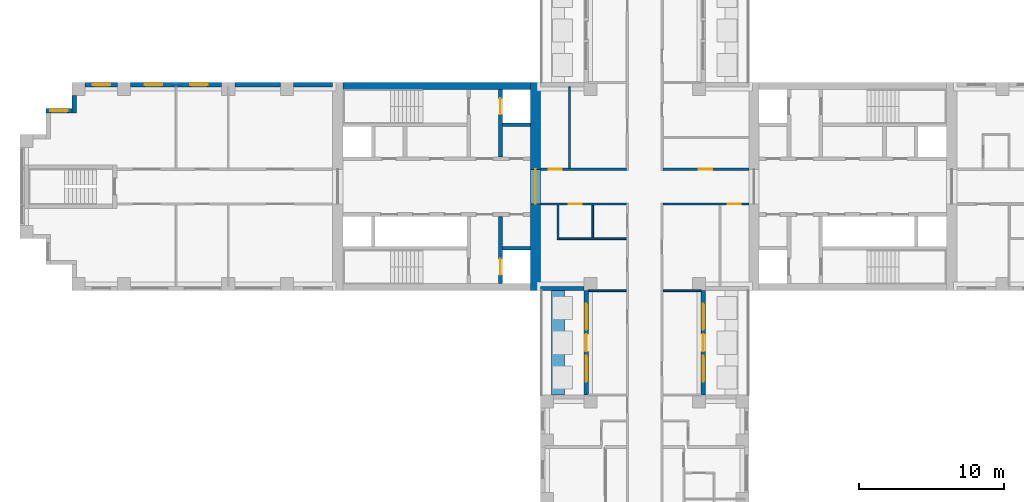
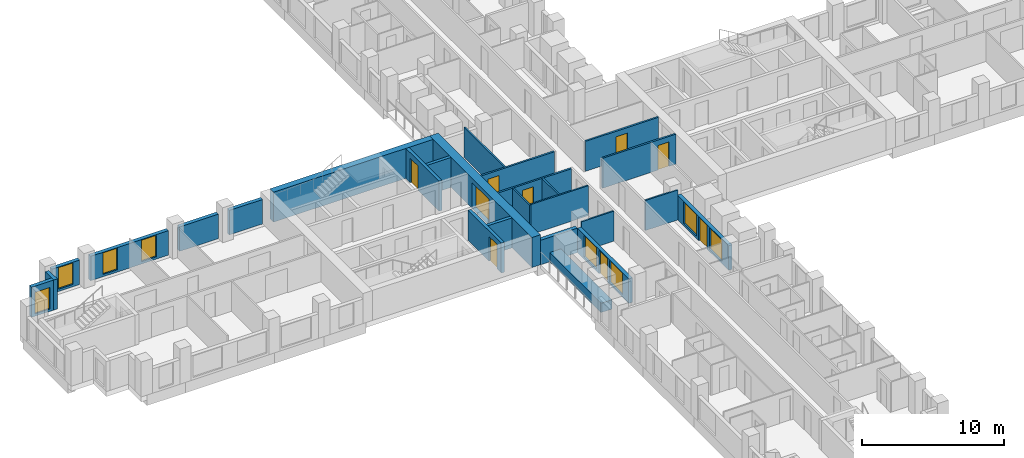
# One storey, part 7 of 15: 26 walls, 9 doors, 8 windows, 17 openings.
"""IFC4 building model written with IfcOpenShell, lengths in metres."""

from ifc_helpers import new_model, si_unit, direction, frame, frame_2d, origin, place, context, subcontext, project, spatial, rectangle, extrude, material, layer, layer_set, type_object, element, fill, save


model = new_model("IFC4")

# Units and contexts
model_context = context("Model", 3, precision=1e-05, world=origin(), true_north=direction((0.0, 1.0)))
body_context = subcontext(model_context, "Body", "Model", "MODEL_VIEW")
ifc_project = project(units=[si_unit("LENGTHUNIT", "METRE"), si_unit("AREAUNIT", "SQUARE_METRE"), si_unit("VOLUMEUNIT", "CUBIC_METRE"), si_unit("PLANEANGLEUNIT", "RADIAN"), si_unit("MASSUNIT", "GRAM", prefix="KILO")], contexts=[model_context])

# Site, building, storey
site_placement = place(None, origin())
site = spatial("IfcSite", under=ifc_project, at=site_placement, CompositionType="ELEMENT")
building_placement = place(site_placement, origin())
building = spatial("IfcBuilding", under=site, at=building_placement, Name="Fustian Cross Tower", CompositionType="ELEMENT")
storey_placement = place(building_placement, frame((0.0, 0.0, 29.699951171875)))
storey = spatial("IfcBuildingStorey", under=building, at=storey_placement, Name="L08", CompositionType="ELEMENT", Elevation=29.699951171875)

# Wall, opening, door
ifc_material_1 = material(Name="Plasterboard on steel stud", Category="steel")
ifc_layer_1 = layer(ifc_material_1, 0.14990234375)
ifc_layer_set_1 = layer_set([ifc_layer_1], Name="Plasterboard on steel stud")
wall_type_1 = type_object("IfcWallType", Name="COMPARTMENT WALL 150 EI 60", PredefinedType="PARTITIONING", material=ifc_layer_set_1)
wall_1_placement = place(storey_placement, frame((-7.199951171875, -1.199951171875, 0.0), z_axis=(0.0, 0.0, 1.0), x_axis=(1.0, 0.0, 0.0)))
wall_1 = element("IfcWall", 1, at=wall_1_placement, inside=storey, type_object=wall_type_1, Name="Partition 7", PredefinedType="PARTITIONING", context=body_context, shape_type="SweptSolid", body=[
    extrude(rectangle(XDim=5.925048828125, YDim=0.14990234375, at=frame_2d((2.96240234375, 0.0))), origin(), (0.0, 0.0, 1.0), 2.574951171875),
])
opening_1_placement = place(wall_1_placement, frame((1.949951171875, 0.0, 0.0)))
opening_1 = element("IfcOpeningElement", 2, at=opening_1_placement, cuts=wall_1, Name="Opening D06008", PredefinedType="OPENING", context=body_context, shape_type="SweptSolid", body=[
    extrude(rectangle(XDim=0.89990234375, YDim=2.10009765625, at=frame_2d((0.449951171875, 1.050048828125))), frame((0.0, 0.0849609375, 0.0), z_axis=(0.0, -1.0, 0.0), x_axis=(1.0, 0.0, 0.0)), (0.0, 0.0, 1.0), 0.169921875),
])
ifc_material_2 = material(Name="Timber fire door set", Category="wood")
door_type_1 = type_object("IfcDoorType", Name="FIRE SWING DOOR 900 FD30S", OperationType="SINGLE_SWING_LEFT", PredefinedType="DOOR", material=ifc_material_2)
door_1_placement = place(opening_1_placement, frame((0.89990234375, 0.0, 0.0), z_axis=(0.0, 0.0, 1.0), x_axis=(-1.0, 0.0, 0.0)))
door_1 = element("IfcDoor", 3, at=door_1_placement, inside=storey, type_object=door_type_1, Name="Door D06008", OperationType="SINGLE_SWING_RIGHT", OverallHeight=2.10009765625, OverallWidth=0.89990234375, PredefinedType="DOOR", context=body_context, shape_type="SweptSolid", body=[
    extrude(rectangle(XDim=0.89990234375, YDim=2.10009765625, at=frame_2d((0.449951171875, 1.050048828125))), frame((0.0, 0.02490234375, 0.0), z_axis=(0.0, -1.0, 0.0), x_axis=(1.0, 0.0, 0.0)), (0.0, 0.0, 1.0), 0.050048828125),
])
fill(opening_1, door_1)

wall_2_placement = place(storey_placement, frame((-7.199951171875, 1.199951171875, 0.0), z_axis=(0.0, 0.0, 1.0), x_axis=(1.0, 0.0, 0.0)))
wall_2 = element("IfcWall", 4, at=wall_2_placement, inside=storey, type_object=wall_type_1, Name="Partition 8", PredefinedType="PARTITIONING", context=body_context, shape_type="SweptSolid", body=[
    extrude(rectangle(XDim=5.925048828125, YDim=0.14990234375, at=frame_2d((2.96240234375, 0.0))), origin(), (0.0, 0.0, 1.0), 2.574951171875),
])
opening_2_placement = place(wall_2_placement, frame((0.550048828125, 0.0, 0.0)))
opening_2 = element("IfcOpeningElement", 5, at=opening_2_placement, cuts=wall_2, Name="Opening D06004", PredefinedType="OPENING", context=body_context, shape_type="SweptSolid", body=[
    extrude(rectangle(XDim=0.89990234375, YDim=2.10009765625, at=frame_2d((0.449951171875, 1.050048828125))), frame((0.0, 0.0849609375, 0.0), z_axis=(0.0, -1.0, 0.0), x_axis=(1.0, 0.0, 0.0)), (0.0, 0.0, 1.0), 0.169921875),
])
door_2_placement = place(opening_2_placement, origin())
door_2 = element("IfcDoor", 6, at=door_2_placement, inside=storey, type_object=door_type_1, Name="Door D06004", OperationType="SINGLE_SWING_LEFT", OverallHeight=2.10009765625, OverallWidth=0.89990234375, PredefinedType="DOOR", context=body_context, shape_type="SweptSolid", body=[
    extrude(rectangle(XDim=0.89990234375, YDim=2.10009765625, at=frame_2d((0.449951171875, 1.050048828125))), frame((0.0, 0.02490234375, 0.0), z_axis=(0.0, -1.0, 0.0), x_axis=(1.0, 0.0, 0.0)), (0.0, 0.0, 1.0), 0.050048828125),
])
fill(opening_2, door_2)

wall_3_placement = place(storey_placement, frame((1.27490234375, -1.199951171875, 0.0), z_axis=(0.0, 0.0, 1.0), x_axis=(1.0, 0.0, 0.0)))
wall_3 = element("IfcWall", 7, at=wall_3_placement, inside=storey, type_object=wall_type_1, Name="Partition 53", PredefinedType="PARTITIONING", context=body_context, shape_type="SweptSolid", body=[
    extrude(rectangle(XDim=5.925048828125, YDim=0.14990234375, at=frame_2d((2.96240234375, 0.0))), origin(), (0.0, 0.0, 1.0), 2.574951171875),
])
opening_3_placement = place(wall_3_placement, frame((4.47509765625, 0.0, 0.0)))
opening_3 = element("IfcOpeningElement", 8, at=opening_3_placement, cuts=wall_3, Name="Opening D06006", PredefinedType="OPENING", context=body_context, shape_type="SweptSolid", body=[
    extrude(rectangle(XDim=0.89990234375, YDim=2.10009765625, at=frame_2d((0.449951171875, 1.050048828125))), frame((0.0, 0.0849609375, 0.0), z_axis=(0.0, -1.0, 0.0), x_axis=(1.0, 0.0, 0.0)), (0.0, 0.0, 1.0), 0.169921875),
])
door_3_placement = place(opening_3_placement, frame((0.89990234375, 0.0, 0.0), z_axis=(0.0, 0.0, 1.0), x_axis=(-1.0, 0.0, 0.0)))
door_3 = element("IfcDoor", 9, at=door_3_placement, inside=storey, type_object=door_type_1, Name="Door D06006", OperationType="SINGLE_SWING_RIGHT", OverallHeight=2.10009765625, OverallWidth=0.89990234375, PredefinedType="DOOR", context=body_context, shape_type="SweptSolid", body=[
    extrude(rectangle(XDim=0.89990234375, YDim=2.10009765625, at=frame_2d((0.449951171875, 1.050048828125))), frame((0.0, 0.02490234375, 0.0), z_axis=(0.0, -1.0, 0.0), x_axis=(1.0, 0.0, 0.0)), (0.0, 0.0, 1.0), 0.050048828125),
])
fill(opening_3, door_3)

wall_4_placement = place(storey_placement, frame((1.27490234375, 1.199951171875, 0.0), z_axis=(0.0, 0.0, 1.0), x_axis=(1.0, 0.0, 0.0)))
wall_4 = element("IfcWall", 10, at=wall_4_placement, inside=storey, type_object=wall_type_1, Name="Partition 55", PredefinedType="PARTITIONING", context=body_context, shape_type="SweptSolid", body=[
    extrude(rectangle(XDim=5.925048828125, YDim=0.14990234375, at=frame_2d((2.96240234375, 0.0))), origin(), (0.0, 0.0, 1.0), 2.574951171875),
])
opening_4_placement = place(wall_4_placement, frame((2.47509765625, 0.0, 0.0)))
opening_4 = element("IfcOpeningElement", 11, at=opening_4_placement, cuts=wall_4, Name="Opening D06001", PredefinedType="OPENING", context=body_context, shape_type="SweptSolid", body=[
    extrude(rectangle(XDim=0.89990234375, YDim=2.10009765625, at=frame_2d((0.449951171875, 1.050048828125))), frame((0.0, 0.0849609375, 0.0), z_axis=(0.0, -1.0, 0.0), x_axis=(1.0, 0.0, 0.0)), (0.0, 0.0, 1.0), 0.169921875),
])
door_4_placement = place(opening_4_placement, origin())
door_4 = element("IfcDoor", 12, at=door_4_placement, inside=storey, type_object=door_type_1, Name="Door D06001", OperationType="SINGLE_SWING_LEFT", OverallHeight=2.10009765625, OverallWidth=0.89990234375, PredefinedType="DOOR", context=body_context, shape_type="SweptSolid", body=[
    extrude(rectangle(XDim=0.89990234375, YDim=2.10009765625, at=frame_2d((0.449951171875, 1.050048828125))), frame((0.0, 0.02490234375, 0.0), z_axis=(0.0, -1.0, 0.0), x_axis=(1.0, 0.0, 0.0)), (0.0, 0.0, 1.0), 0.050048828125),
])
fill(opening_4, door_4)

ifc_material_3 = material(Name="Concrete C80/95", Category="concrete")
ifc_layer_2 = layer(ifc_material_3, 0.699951171875)
ifc_layer_set_2 = layer_set([ifc_layer_2], Name="Concrete C80/95")
wall_type_2 = type_object("IfcWallType", Name="CORE END WALL 700 C80/95", PredefinedType="SHEAR", material=ifc_layer_set_2)
wall_5_placement = place(storey_placement, frame((-7.550048828125, -7.199951171875, 0.0), z_axis=(0.0, 0.0, 1.0), x_axis=(0.0, 1.0, 0.0)))
wall_5 = element("IfcWall", 13, at=wall_5_placement, inside=storey, type_object=wall_type_2, Name="Core end wall", PredefinedType="SHEAR", context=body_context, shape_type="SweptSolid", body=[
    extrude(rectangle(XDim=14.39990234375, YDim=0.699951171875, at=frame_2d((7.199951171875, 0.0))), origin(), (0.0, 0.0, 1.0), 2.574951171875),
])
opening_5_placement = place(wall_5_placement, frame((6.0, 0.0, 0.0)))
opening_5 = element("IfcOpeningElement", 14, at=opening_5_placement, cuts=wall_5, Name="Opening CD-06-27", PredefinedType="OPENING", context=body_context, shape_type="SweptSolid", body=[
    extrude(rectangle(XDim=2.39990234375, YDim=2.199951171875, at=frame_2d((1.199951171875, 1.10009765625))), frame((0.0, 0.35986328125, 0.0), z_axis=(0.0, -1.0, 0.0), x_axis=(1.0, 0.0, 0.0)), (0.0, 0.0, 1.0), 0.719970703125),
])
ifc_material_4 = material(Name="Steel", Category="steel")
door_type_2 = type_object("IfcDoorType", Name="FIRE DOOR FD30S DOUBLE 2400X2200", OperationType="DOUBLE_DOOR_DOUBLE_SWING", PredefinedType="DOOR", material=ifc_material_4)
door_5_placement = place(opening_5_placement, origin())
door_5 = element("IfcDoor", 15, at=door_5_placement, inside=storey, type_object=door_type_2, Name="Core door CD-06-27", OperationType="DOUBLE_DOOR_DOUBLE_SWING", OverallHeight=2.199951171875, OverallWidth=2.39990234375, PredefinedType="DOOR", context=body_context, shape_type="SweptSolid", body=[
    extrude(rectangle(XDim=2.39990234375, YDim=2.199951171875, at=frame_2d((1.199951171875, 1.10009765625))), frame((0.0, 0.02490234375, 0.0), z_axis=(0.0, -1.0, 0.0), x_axis=(1.0, 0.0, 0.0)), (0.0, 0.0, 1.0), 0.050048828125),
])
fill(opening_5, door_5)

# Walls
ifc_material_5 = material(Name="Concrete C80/95", Category="concrete")
ifc_layer_3 = layer(ifc_material_5, 0.5)
ifc_layer_set_3 = layer_set([ifc_layer_3], Name="Concrete C80/95")
wall_type_3 = type_object("IfcWallType", Name="CORE FACADE WALL 500 C80/95", PredefinedType="SHEAR", material=ifc_layer_set_3)
wall_6_placement = place(storey_placement, frame((-7.89990234375, 6.949951171875, 0.0), z_axis=(0.0, 0.0, 1.0), x_axis=(-1.0, 0.0, 0.0)))
element("IfcWall", 16, at=wall_6_placement, inside=storey, type_object=wall_type_3, Name="Core facade wall", PredefinedType="SHEAR", context=body_context, shape_type="SweptSolid", body=[
    extrude(rectangle(XDim=12.9501953125, YDim=0.5, at=frame_2d((6.47509765625, 0.0))), origin(), (0.0, 0.0, 1.0), 2.574951171875),
])
ifc_material_6 = material(Name="Concrete C50/60", Category="concrete")
ifc_layer_4 = layer(ifc_material_6, 0.25)
ifc_layer_set_4 = layer_set([ifc_layer_4], Name="Concrete C50/60")
wall_type_4 = type_object("IfcWallType", Name="CORE SHAFT WALL 250 C50/60", PredefinedType="SHEAR", material=ifc_layer_set_4)
wall_7_placement = place(storey_placement, frame((-7.89990234375, 4.27490234375, 0.0), z_axis=(0.0, 0.0, 1.0), x_axis=(-1.0, 0.0, 0.0)))
element("IfcWall", 17, at=wall_7_placement, inside=storey, type_object=wall_type_4, Name="Core shaft wall", PredefinedType="SHEAR", context=body_context, shape_type="SweptSolid", body=[
    extrude(rectangle(XDim=1.9501953125, YDim=0.25, at=frame_2d((0.97509765625, 0.0))), origin(), (0.0, 0.0, 1.0), 2.574951171875),
])

# Wall, opening, door
wall_8_placement = place(storey_placement, frame((-9.97509765625, 2.050048828125, 0.0), z_axis=(0.0, 0.0, 1.0), x_axis=(0.0, 1.0, 0.0)))
wall_8 = element("IfcWall", 18, at=wall_8_placement, inside=storey, type_object=wall_type_4, Name="Core shaft wall", PredefinedType="SHEAR", context=body_context, shape_type="SweptSolid", body=[
    extrude(rectangle(XDim=4.64990234375, YDim=0.25, at=frame_2d((2.324951171875, 0.0))), origin(), (0.0, 0.0, 1.0), 2.574951171875),
])
opening_6_placement = place(wall_8_placement, frame((2.949951171875, 0.0, 0.0)))
opening_6 = element("IfcOpeningElement", 19, at=opening_6_placement, cuts=wall_8, Name="Opening LD", PredefinedType="OPENING", context=body_context, shape_type="SweptSolid", body=[
    extrude(rectangle(XDim=1.10009765625, YDim=2.10009765625, at=frame_2d((0.550048828125, 1.050048828125))), frame((0.0, 0.135009765625, 0.0), z_axis=(0.0, -1.0, 0.0), x_axis=(1.0, 0.0, 0.0)), (0.0, 0.0, 1.0), 0.27001953125),
])
ifc_material_7 = material(Name="Stainless steel", Category="steel")
door_type_3 = type_object("IfcDoorType", Name="LIFT LANDING DOOR 1100X2100", OperationType="SLIDING_TO_LEFT", PredefinedType="DOOR", material=ifc_material_7)
door_6_placement = place(opening_6_placement, origin())
door_6 = element("IfcDoor", 20, at=door_6_placement, inside=storey, type_object=door_type_3, Name="Landing door FL1W", OperationType="SLIDING_TO_LEFT", OverallHeight=2.10009765625, OverallWidth=1.10009765625, PredefinedType="DOOR", context=body_context, shape_type="SweptSolid", body=[
    extrude(rectangle(XDim=1.10009765625, YDim=2.10009765625, at=frame_2d((0.550048828125, 1.050048828125))), frame((0.0, 0.02490234375, 0.0), z_axis=(0.0, -1.0, 0.0), x_axis=(1.0, 0.0, 0.0)), (0.0, 0.0, 1.0), 0.050048828125),
])
fill(opening_6, door_6)

# Wall
wall_9_placement = place(storey_placement, frame((-7.89990234375, -4.27490234375, 0.0), z_axis=(0.0, 0.0, 1.0), x_axis=(-1.0, 0.0, 0.0)))
element("IfcWall", 21, at=wall_9_placement, inside=storey, type_object=wall_type_4, Name="Core shaft wall", PredefinedType="SHEAR", context=body_context, shape_type="SweptSolid", body=[
    extrude(rectangle(XDim=1.9501953125, YDim=0.25, at=frame_2d((0.97509765625, 0.0))), origin(), (0.0, 0.0, 1.0), 2.574951171875),
])

# Wall, opening, door
wall_10_placement = place(storey_placement, frame((-9.97509765625, -2.050048828125, 0.0), z_axis=(0.0, 0.0, 1.0), x_axis=(0.0, -1.0, 0.0)))
wall_10 = element("IfcWall", 22, at=wall_10_placement, inside=storey, type_object=wall_type_4, Name="Core shaft wall", PredefinedType="SHEAR", context=body_context, shape_type="SweptSolid", body=[
    extrude(rectangle(XDim=4.64990234375, YDim=0.25, at=frame_2d((2.324951171875, 0.0))), origin(), (0.0, 0.0, 1.0), 2.574951171875),
])
opening_7_placement = place(wall_10_placement, frame((2.949951171875, 0.0, 0.0)))
opening_7 = element("IfcOpeningElement", 23, at=opening_7_placement, cuts=wall_10, Name="Opening LD", PredefinedType="OPENING", context=body_context, shape_type="SweptSolid", body=[
    extrude(rectangle(XDim=1.10009765625, YDim=2.10009765625, at=frame_2d((0.550048828125, 1.050048828125))), frame((0.0, 0.135009765625, 0.0), z_axis=(0.0, -1.0, 0.0), x_axis=(1.0, 0.0, 0.0)), (0.0, 0.0, 1.0), 0.27001953125),
])
door_7_placement = place(opening_7_placement, origin())
door_7 = element("IfcDoor", 24, at=door_7_placement, inside=storey, type_object=door_type_3, Name="Landing door SV1W", OperationType="SLIDING_TO_LEFT", OverallHeight=2.10009765625, OverallWidth=1.10009765625, PredefinedType="DOOR", context=body_context, shape_type="SweptSolid", body=[
    extrude(rectangle(XDim=1.10009765625, YDim=2.10009765625, at=frame_2d((0.550048828125, 1.050048828125))), frame((0.0, 0.02490234375, 0.0), z_axis=(0.0, -1.0, 0.0), x_axis=(1.0, 0.0, 0.0)), (0.0, 0.0, 1.0), 0.050048828125),
])
fill(opening_7, door_7)

# Walls
ifc_material_8 = material(Name="Concrete C40/50", Category="concrete")
ifc_layer_5 = layer(ifc_material_8, 0.89990234375)
ifc_layer_set_5 = layer_set([ifc_layer_5], Name="Concrete C40/50")
wall_type_5 = type_object("IfcWallType", Name="PK1 PLANTER 900", PredefinedType="PARAPET", material=ifc_layer_set_5)
wall_11_placement = place(storey_placement, frame((-6.0, -14.39990234375, 0.0), z_axis=(0.0, 0.0, 1.0), x_axis=(0.0, 1.0, 0.0)))
element("IfcWall", 25, at=wall_11_placement, inside=storey, type_object=wall_type_5, Name="PLANTER", PredefinedType="PARAPET", context=body_context, shape_type="SweptSolid", body=[
    extrude(rectangle(XDim=7.199951171875, YDim=0.89990234375, at=frame_2d((3.60009765625, 0.0))), origin(), (0.0, 0.0, 1.0), 0.800048828125),
])
ifc_material_9 = material(Name="Plasterboard on steel stud", Category="steel")
ifc_layer_6 = layer(ifc_material_9, 0.125)
ifc_layer_set_6 = layer_set([ifc_layer_6], Name="Plasterboard on steel stud")
wall_type_6 = type_object("IfcWallType", Name="WET WALL 125 STUD", PredefinedType="PARTITIONING", material=ifc_layer_set_6)
wall_12_placement = place(storey_placement, frame((-6.0, -3.66259765625, 0.0), z_axis=(0.0, 0.0, 1.0), x_axis=(0.0, 1.0, 0.0)))
element("IfcWall", 26, at=wall_12_placement, inside=storey, type_object=wall_type_6, Name="Partition 21", PredefinedType="PARTITIONING", context=body_context, shape_type="SweptSolid", body=[
    extrude(rectangle(XDim=2.3876953125, YDim=0.125, at=frame_2d((1.19384765625, 0.0))), origin(), (0.0, 0.0, 1.0), 2.574951171875),
])
wall_13_placement = place(storey_placement, frame((-5.9375, -3.60009765625, 0.0), z_axis=(0.0, 0.0, 1.0), x_axis=(1.0, 0.0, 0.0)))
element("IfcWall", 27, at=wall_13_placement, inside=storey, type_object=wall_type_6, Name="Partition 22", PredefinedType="PARTITIONING", context=body_context, shape_type="SweptSolid", body=[
    extrude(rectangle(XDim=4.66259765625, YDim=0.125, at=frame_2d((2.331298828125, 0.0))), origin(), (0.0, 0.0, 1.0), 2.574951171875),
])
wall_14_placement = place(storey_placement, frame((-5.199951171875, 1.27490234375, 0.0), z_axis=(0.0, 0.0, 1.0), x_axis=(0.0, 1.0, 0.0)))
element("IfcWall", 28, at=wall_14_placement, inside=storey, type_object=wall_type_6, Name="Partition 23", PredefinedType="PARTITIONING", context=body_context, shape_type="SweptSolid", body=[
    extrude(rectangle(XDim=5.625, YDim=0.125, at=frame_2d((2.8125, 0.0))), origin(), (0.0, 0.0, 1.0), 2.574951171875),
])
wall_15_placement = place(storey_placement, frame((-3.89990234375, -7.199951171875, 0.0), z_axis=(0.0, 0.0, 1.0), x_axis=(1.0, 0.0, 0.0)))
element("IfcWall", 29, at=wall_15_placement, inside=storey, type_object=wall_type_6, Name="Partition 36", PredefinedType="PARTITIONING", context=body_context, shape_type="SweptSolid", body=[
    extrude(rectangle(XDim=2.625, YDim=0.125, at=frame_2d((1.3125, 0.0))), origin(), (0.0, 0.0, 1.0), 2.574951171875),
])
wall_16_placement = place(storey_placement, frame((-3.60009765625, -3.53759765625, 0.0), z_axis=(0.0, 0.0, 1.0), x_axis=(0.0, 1.0, 0.0)))
element("IfcWall", 30, at=wall_16_placement, inside=storey, type_object=wall_type_6, Name="Partition 39", PredefinedType="PARTITIONING", context=body_context, shape_type="SweptSolid", body=[
    extrude(rectangle(XDim=2.2626953125, YDim=0.125, at=frame_2d((1.13134765625, 0.0))), origin(), (0.0, 0.0, 1.0), 2.574951171875),
])
wall_17_placement = place(storey_placement, frame((1.27490234375, -7.199951171875, 0.0), z_axis=(0.0, 0.0, 1.0), x_axis=(1.0, 0.0, 0.0)))
element("IfcWall", 31, at=wall_17_placement, inside=storey, type_object=wall_type_6, Name="Partition 52", PredefinedType="PARTITIONING", context=body_context, shape_type="SweptSolid", body=[
    extrude(rectangle(XDim=2.625, YDim=0.125, at=frame_2d((1.3125, 0.0))), origin(), (0.0, 0.0, 1.0), 2.574951171875),
])
ifc_material_10 = material(Name="Dark aluminium cladding on insulated backing wall", Category="aluminium")
ifc_layer_7 = layer(ifc_material_10, 0.300048828125)
ifc_layer_set_7 = layer_set([ifc_layer_7], Name="Dark aluminium cladding on insulated backing wall")
wall_type_7 = type_object("IfcWallType", Name="XW1 EXTERNAL WALL 300", PredefinedType="SOLIDWALL", material=ifc_layer_set_7)
wall_18_placement = place(storey_placement, frame((-21.60009765625, 7.050048828125, 0.0), z_axis=(0.0, 0.0, 1.0), x_axis=(-1.0, 0.0, 0.0)))
element("IfcWall", 32, at=wall_18_placement, inside=storey, type_object=wall_type_7, Name="External wall", PredefinedType="SOLIDWALL", context=body_context, shape_type="SweptSolid", body=[
    extrude(rectangle(XDim=2.699951171875, YDim=0.300048828125, at=frame_2d((1.35009765625, 0.0))), origin(), (0.0, 0.0, 1.0), 2.10009765625),
])
wall_19_placement = place(storey_placement, frame((-25.199951171875, 7.050048828125, 0.0), z_axis=(0.0, 0.0, 1.0), x_axis=(-1.0, 0.0, 0.0)))
element("IfcWall", 33, at=wall_19_placement, inside=storey, type_object=wall_type_7, Name="External wall", PredefinedType="SOLIDWALL", context=body_context, shape_type="SweptSolid", body=[
    extrude(rectangle(XDim=3.150146484375, YDim=0.300048828125, at=frame_2d((1.5751953125, 0.0))), origin(), (0.0, 0.0, 1.0), 2.10009765625),
])

# Wall, openings, windows
wall_20_placement = place(storey_placement, frame((-29.25, 7.050048828125, 0.0), z_axis=(0.0, 0.0, 1.0), x_axis=(-1.0, 0.0, 0.0)))
wall_20 = element("IfcWall", 34, at=wall_20_placement, inside=storey, type_object=wall_type_7, Name="External wall", PredefinedType="SOLIDWALL", context=body_context, shape_type="SweptSolid", body=[
    extrude(rectangle(XDim=6.300048828125, YDim=0.300048828125, at=frame_2d((3.14990234375, 0.0))), origin(), (0.0, 0.0, 1.0), 2.10009765625),
])
opening_8_placement = place(wall_20_placement, frame((0.97509765625, 0.0, 0.199951171875)))
opening_8 = element("IfcOpeningElement", 35, at=opening_8_placement, cuts=wall_20, Name="Opening WN3", PredefinedType="OPENING", context=body_context, shape_type="SweptSolid", body=[
    extrude(rectangle(XDim=1.199951171875, YDim=1.85009765625, at=frame_2d((0.60009765625, 0.925048828125))), frame((0.0, 0.159912109375, 0.0), z_axis=(0.0, -1.0, 0.0), x_axis=(1.0, 0.0, 0.0)), (0.0, 0.0, 1.0), 0.320068359375),
])
opening_9_placement = place(wall_20_placement, frame((4.125, 0.0, 0.199951171875)))
opening_9 = element("IfcOpeningElement", 36, at=opening_9_placement, cuts=wall_20, Name="Opening WN3", PredefinedType="OPENING", context=body_context, shape_type="SweptSolid", body=[
    extrude(rectangle(XDim=1.199951171875, YDim=1.85009765625, at=frame_2d((0.60009765625, 0.925048828125))), frame((0.0, 0.159912109375, 0.0), z_axis=(0.0, -1.0, 0.0), x_axis=(1.0, 0.0, 0.0)), (0.0, 0.0, 1.0), 0.320068359375),
])
ifc_material_11 = material(Name="Dark anodised aluminium and double glazing", Category="aluminium")
window_type_1 = type_object("IfcWindowType", Name="WN3 WINDOW 1200X1850", PartitioningType="SINGLE_PANEL", PredefinedType="WINDOW", material=ifc_material_11)
window_1_placement = place(opening_8_placement, origin())
window_1 = element("IfcWindow", 37, at=window_1_placement, inside=storey, type_object=window_type_1, Name="Window", OverallHeight=1.85009765625, OverallWidth=1.199951171875, PartitioningType="SINGLE_PANEL", PredefinedType="WINDOW", context=body_context, shape_type="SweptSolid", body=[
    extrude(rectangle(XDim=1.199951171875, YDim=1.85009765625, at=frame_2d((0.60009765625, 0.925048828125))), frame((0.0, 0.030029296875, 0.0), z_axis=(0.0, -1.0, 0.0), x_axis=(1.0, 0.0, 0.0)), (0.0, 0.0, 1.0), 0.06005859375),
])
fill(opening_8, window_1)
window_2_placement = place(opening_9_placement, origin())
window_2 = element("IfcWindow", 38, at=window_2_placement, inside=storey, type_object=window_type_1, Name="Window", OverallHeight=1.85009765625, OverallWidth=1.199951171875, PartitioningType="SINGLE_PANEL", PredefinedType="WINDOW", context=body_context, shape_type="SweptSolid", body=[
    extrude(rectangle(XDim=1.199951171875, YDim=1.85009765625, at=frame_2d((0.60009765625, 0.925048828125))), frame((0.0, 0.030029296875, 0.0), z_axis=(0.0, -1.0, 0.0), x_axis=(1.0, 0.0, 0.0)), (0.0, 0.0, 1.0), 0.06005859375),
])
fill(opening_9, window_2)

# Wall, opening, window
wall_21_placement = place(storey_placement, frame((-36.449951171875, 7.050048828125, 0.0), z_axis=(0.0, 0.0, 1.0), x_axis=(-1.0, 0.0, 0.0)))
wall_21 = element("IfcWall", 39, at=wall_21_placement, inside=storey, type_object=wall_type_7, Name="External wall", PredefinedType="SOLIDWALL", context=body_context, shape_type="SweptSolid", body=[
    extrude(rectangle(XDim=2.25, YDim=0.300048828125, at=frame_2d((1.125, 0.0))), origin(), (0.0, 0.0, 1.0), 2.10009765625),
])
opening_10_placement = place(wall_21_placement, frame((0.52490234375, 0.0, 0.199951171875)))
opening_10 = element("IfcOpeningElement", 40, at=opening_10_placement, cuts=wall_21, Name="Opening WN3", PredefinedType="OPENING", context=body_context, shape_type="SweptSolid", body=[
    extrude(rectangle(XDim=1.199951171875, YDim=1.85009765625, at=frame_2d((0.60009765625, 0.925048828125))), frame((0.0, 0.159912109375, 0.0), z_axis=(0.0, -1.0, 0.0), x_axis=(1.0, 0.0, 0.0)), (0.0, 0.0, 1.0), 0.320068359375),
])
window_3_placement = place(opening_10_placement, origin())
window_3 = element("IfcWindow", 41, at=window_3_placement, inside=storey, type_object=window_type_1, Name="Window", OverallHeight=1.85009765625, OverallWidth=1.199951171875, PartitioningType="SINGLE_PANEL", PredefinedType="WINDOW", context=body_context, shape_type="SweptSolid", body=[
    extrude(rectangle(XDim=1.199951171875, YDim=1.85009765625, at=frame_2d((0.60009765625, 0.925048828125))), frame((0.0, 0.030029296875, 0.0), z_axis=(0.0, -1.0, 0.0), x_axis=(1.0, 0.0, 0.0)), (0.0, 0.0, 1.0), 0.06005859375),
])
fill(opening_10, window_3)

# Wall
wall_22_placement = place(storey_placement, frame((-39.449951171875, 6.300048828125, 0.0), z_axis=(0.0, 0.0, 1.0), x_axis=(0.0, -1.0, 0.0)))
element("IfcWall", 42, at=wall_22_placement, inside=storey, type_object=wall_type_7, Name="External wall", PredefinedType="SOLIDWALL", context=body_context, shape_type="SweptSolid", body=[
    extrude(rectangle(XDim=1.199951171875, YDim=0.300048828125, at=frame_2d((0.60009765625, 0.0))), origin(), (0.0, 0.0, 1.0), 2.574951171875),
])

# Wall, opening, window
wall_23_placement = place(storey_placement, frame((-39.60009765625, 5.25, 0.0), z_axis=(0.0, 0.0, 1.0), x_axis=(-1.0, 0.0, 0.0)))
wall_23 = element("IfcWall", 43, at=wall_23_placement, inside=storey, type_object=wall_type_7, Name="External wall", PredefinedType="SOLIDWALL", context=body_context, shape_type="SweptSolid", body=[
    extrude(rectangle(XDim=1.7998046875, YDim=0.300048828125, at=frame_2d((0.89990234375, 0.0))), origin(), (0.0, 0.0, 1.0), 2.574951171875),
])
opening_11_placement = place(wall_23_placement, frame((0.300048828125, 0.0, 0.199951171875)))
opening_11 = element("IfcOpeningElement", 44, at=opening_11_placement, cuts=wall_23, Name="Opening WN3", PredefinedType="OPENING", context=body_context, shape_type="SweptSolid", body=[
    extrude(rectangle(XDim=1.199951171875, YDim=1.85009765625, at=frame_2d((0.60009765625, 0.925048828125))), frame((0.0, 0.159912109375, 0.0), z_axis=(0.0, -1.0, 0.0), x_axis=(1.0, 0.0, 0.0)), (0.0, 0.0, 1.0), 0.320068359375),
])
window_4_placement = place(opening_11_placement, origin())
window_4 = element("IfcWindow", 45, at=window_4_placement, inside=storey, type_object=window_type_1, Name="Window", OverallHeight=1.85009765625, OverallWidth=1.199951171875, PartitioningType="SINGLE_PANEL", PredefinedType="WINDOW", context=body_context, shape_type="SweptSolid", body=[
    extrude(rectangle(XDim=1.199951171875, YDim=1.85009765625, at=frame_2d((0.60009765625, 0.925048828125))), frame((0.0, 0.030029296875, 0.0), z_axis=(0.0, -1.0, 0.0), x_axis=(1.0, 0.0, 0.0)), (0.0, 0.0, 1.0), 0.06005859375),
])
fill(opening_11, window_4)

# Wall
wall_24_placement = place(storey_placement, frame((-7.199951171875, -7.050048828125, 0.0), z_axis=(0.0, 0.0, 1.0), x_axis=(1.0, 0.0, 0.0)))
element("IfcWall", 46, at=wall_24_placement, inside=storey, type_object=wall_type_7, Name="External wall", PredefinedType="SOLIDWALL", context=body_context, shape_type="SweptSolid", body=[
    extrude(rectangle(XDim=3.0, YDim=0.300048828125, at=frame_2d((1.5, 0.0))), origin(), (0.0, 0.0, 1.0), 2.10009765625),
])

# Wall, openings, door, windows
wall_25_placement = place(storey_placement, frame((-4.050048828125, -7.199951171875, 0.0), z_axis=(0.0, 0.0, 1.0), x_axis=(0.0, -1.0, 0.0)))
wall_25 = element("IfcWall", 47, at=wall_25_placement, inside=storey, type_object=wall_type_7, Name="External wall", PredefinedType="SOLIDWALL", context=body_context, shape_type="SweptSolid", body=[
    extrude(rectangle(XDim=7.199951171875, YDim=0.300048828125, at=frame_2d((3.60009765625, 0.0))), origin(), (0.0, 0.0, 1.0), 2.10009765625),
])
opening_12_placement = place(wall_25_placement, frame((3.0, 0.0, 0.0)))
opening_12 = element("IfcOpeningElement", 48, at=opening_12_placement, cuts=wall_25, Name="Opening XD4", PredefinedType="OPENING", context=body_context, shape_type="SweptSolid", body=[
    extrude(rectangle(XDim=1.199951171875, YDim=2.050048828125, at=frame_2d((0.60009765625, 1.02490234375))), frame((0.0, 0.159912109375, 0.0), z_axis=(0.0, -1.0, 0.0), x_axis=(1.0, 0.0, 0.0)), (0.0, 0.0, 1.0), 0.320068359375),
])
opening_13_placement = place(wall_25_placement, frame((0.89990234375, 0.0, 0.199951171875)))
opening_13 = element("IfcOpeningElement", 49, at=opening_13_placement, cuts=wall_25, Name="Opening WN2", PredefinedType="OPENING", context=body_context, shape_type="SweptSolid", body=[
    extrude(rectangle(XDim=1.800048828125, YDim=1.85009765625, at=frame_2d((0.89990234375, 0.925048828125))), frame((0.0, 0.159912109375, 0.0), z_axis=(0.0, -1.0, 0.0), x_axis=(1.0, 0.0, 0.0)), (0.0, 0.0, 1.0), 0.320068359375),
])
opening_14_placement = place(wall_25_placement, frame((4.5, 0.0, 0.199951171875)))
opening_14 = element("IfcOpeningElement", 50, at=opening_14_placement, cuts=wall_25, Name="Opening WN2", PredefinedType="OPENING", context=body_context, shape_type="SweptSolid", body=[
    extrude(rectangle(XDim=1.800048828125, YDim=1.85009765625, at=frame_2d((0.89990234375, 0.925048828125))), frame((0.0, 0.159912109375, 0.0), z_axis=(0.0, -1.0, 0.0), x_axis=(1.0, 0.0, 0.0)), (0.0, 0.0, 1.0), 0.320068359375),
])
ifc_material_12 = material(Name="Dark anodised aluminium and double glazing", Category="aluminium")
door_type_4 = type_object("IfcDoorType", Name="ED1 BALCONY DOOR 1200X2050", OperationType="SINGLE_SWING_LEFT", PredefinedType="DOOR", material=ifc_material_12)
door_8_placement = place(opening_12_placement, origin())
door_8 = element("IfcDoor", 51, at=door_8_placement, inside=storey, type_object=door_type_4, Name="Balcony door", OperationType="SINGLE_SWING_LEFT", OverallHeight=2.050048828125, OverallWidth=1.199951171875, PredefinedType="DOOR", context=body_context, shape_type="SweptSolid", body=[
    extrude(rectangle(XDim=1.199951171875, YDim=2.050048828125, at=frame_2d((0.60009765625, 1.02490234375))), frame((0.0, 0.02490234375, 0.0), z_axis=(0.0, -1.0, 0.0), x_axis=(1.0, 0.0, 0.0)), (0.0, 0.0, 1.0), 0.050048828125),
])
fill(opening_12, door_8)
ifc_material_13 = material(Name="Dark anodised aluminium and double glazing", Category="aluminium")
window_type_2 = type_object("IfcWindowType", Name="WN2 WINDOW 1800X1850", PartitioningType="SINGLE_PANEL", PredefinedType="WINDOW", material=ifc_material_13)
window_5_placement = place(opening_13_placement, origin())
window_5 = element("IfcWindow", 52, at=window_5_placement, inside=storey, type_object=window_type_2, Name="Window", OverallHeight=1.85009765625, OverallWidth=1.800048828125, PartitioningType="SINGLE_PANEL", PredefinedType="WINDOW", context=body_context, shape_type="SweptSolid", body=[
    extrude(rectangle(XDim=1.800048828125, YDim=1.85009765625, at=frame_2d((0.89990234375, 0.925048828125))), frame((0.0, 0.030029296875, 0.0), z_axis=(0.0, -1.0, 0.0), x_axis=(1.0, 0.0, 0.0)), (0.0, 0.0, 1.0), 0.06005859375),
])
fill(opening_13, window_5)
window_6_placement = place(opening_14_placement, origin())
window_6 = element("IfcWindow", 53, at=window_6_placement, inside=storey, type_object=window_type_2, Name="Window", OverallHeight=1.85009765625, OverallWidth=1.800048828125, PartitioningType="SINGLE_PANEL", PredefinedType="WINDOW", context=body_context, shape_type="SweptSolid", body=[
    extrude(rectangle(XDim=1.800048828125, YDim=1.85009765625, at=frame_2d((0.89990234375, 0.925048828125))), frame((0.0, 0.030029296875, 0.0), z_axis=(0.0, -1.0, 0.0), x_axis=(1.0, 0.0, 0.0)), (0.0, 0.0, 1.0), 0.06005859375),
])
fill(opening_14, window_6)

wall_26_placement = place(storey_placement, frame((4.050048828125, -14.39990234375, 0.0), z_axis=(0.0, 0.0, 1.0), x_axis=(0.0, 1.0, 0.0)))
wall_26 = element("IfcWall", 54, at=wall_26_placement, inside=storey, type_object=wall_type_7, Name="External wall", PredefinedType="SOLIDWALL", context=body_context, shape_type="SweptSolid", body=[
    extrude(rectangle(XDim=7.199951171875, YDim=0.300048828125, at=frame_2d((3.60009765625, 0.0))), origin(), (0.0, 0.0, 1.0), 2.10009765625),
])
opening_15_placement = place(wall_26_placement, frame((3.0, 0.0, 0.0)))
opening_15 = element("IfcOpeningElement", 55, at=opening_15_placement, cuts=wall_26, Name="Opening XD3", PredefinedType="OPENING", context=body_context, shape_type="SweptSolid", body=[
    extrude(rectangle(XDim=1.199951171875, YDim=2.050048828125, at=frame_2d((0.60009765625, 1.02490234375))), frame((0.0, 0.159912109375, 0.0), z_axis=(0.0, -1.0, 0.0), x_axis=(1.0, 0.0, 0.0)), (0.0, 0.0, 1.0), 0.320068359375),
])
opening_16_placement = place(wall_26_placement, frame((0.89990234375, 0.0, 0.199951171875)))
opening_16 = element("IfcOpeningElement", 56, at=opening_16_placement, cuts=wall_26, Name="Opening WN2", PredefinedType="OPENING", context=body_context, shape_type="SweptSolid", body=[
    extrude(rectangle(XDim=1.800048828125, YDim=1.85009765625, at=frame_2d((0.89990234375, 0.925048828125))), frame((0.0, 0.159912109375, 0.0), z_axis=(0.0, -1.0, 0.0), x_axis=(1.0, 0.0, 0.0)), (0.0, 0.0, 1.0), 0.320068359375),
])
opening_17_placement = place(wall_26_placement, frame((4.5, 0.0, 0.199951171875)))
opening_17 = element("IfcOpeningElement", 57, at=opening_17_placement, cuts=wall_26, Name="Opening WN2", PredefinedType="OPENING", context=body_context, shape_type="SweptSolid", body=[
    extrude(rectangle(XDim=1.800048828125, YDim=1.85009765625, at=frame_2d((0.89990234375, 0.925048828125))), frame((0.0, 0.159912109375, 0.0), z_axis=(0.0, -1.0, 0.0), x_axis=(1.0, 0.0, 0.0)), (0.0, 0.0, 1.0), 0.320068359375),
])
door_9_placement = place(opening_15_placement, origin())
door_9 = element("IfcDoor", 58, at=door_9_placement, inside=storey, type_object=door_type_4, Name="Balcony door", OperationType="SINGLE_SWING_LEFT", OverallHeight=2.050048828125, OverallWidth=1.199951171875, PredefinedType="DOOR", context=body_context, shape_type="SweptSolid", body=[
    extrude(rectangle(XDim=1.199951171875, YDim=2.050048828125, at=frame_2d((0.60009765625, 1.02490234375))), frame((0.0, 0.02490234375, 0.0), z_axis=(0.0, -1.0, 0.0), x_axis=(1.0, 0.0, 0.0)), (0.0, 0.0, 1.0), 0.050048828125),
])
fill(opening_15, door_9)
window_7_placement = place(opening_16_placement, origin())
window_7 = element("IfcWindow", 59, at=window_7_placement, inside=storey, type_object=window_type_2, Name="Window", OverallHeight=1.85009765625, OverallWidth=1.800048828125, PartitioningType="SINGLE_PANEL", PredefinedType="WINDOW", context=body_context, shape_type="SweptSolid", body=[
    extrude(rectangle(XDim=1.800048828125, YDim=1.85009765625, at=frame_2d((0.89990234375, 0.925048828125))), frame((0.0, 0.030029296875, 0.0), z_axis=(0.0, -1.0, 0.0), x_axis=(1.0, 0.0, 0.0)), (0.0, 0.0, 1.0), 0.06005859375),
])
fill(opening_16, window_7)
window_8_placement = place(opening_17_placement, origin())
window_8 = element("IfcWindow", 60, at=window_8_placement, inside=storey, type_object=window_type_2, Name="Window", OverallHeight=1.85009765625, OverallWidth=1.800048828125, PartitioningType="SINGLE_PANEL", PredefinedType="WINDOW", context=body_context, shape_type="SweptSolid", body=[
    extrude(rectangle(XDim=1.800048828125, YDim=1.85009765625, at=frame_2d((0.89990234375, 0.925048828125))), frame((0.0, 0.030029296875, 0.0), z_axis=(0.0, -1.0, 0.0), x_axis=(1.0, 0.0, 0.0)), (0.0, 0.0, 1.0), 0.06005859375),
])
fill(opening_17, window_8)

save(model, "model.ifc")
